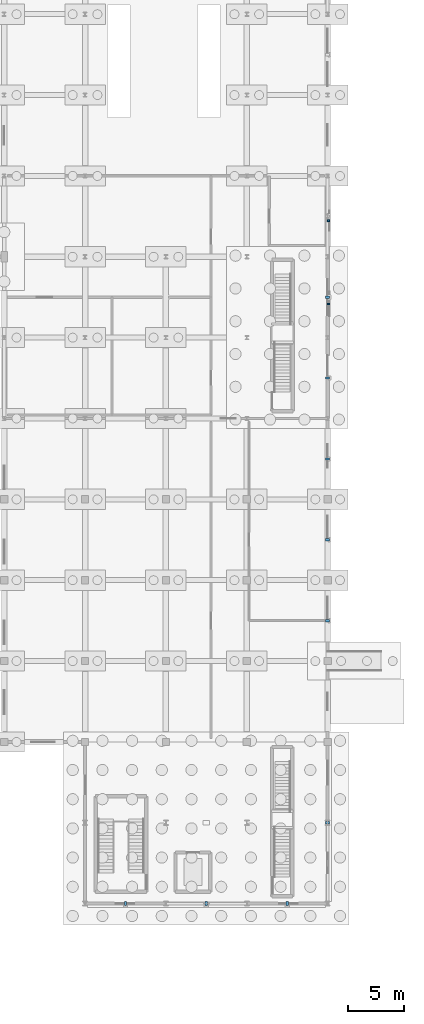
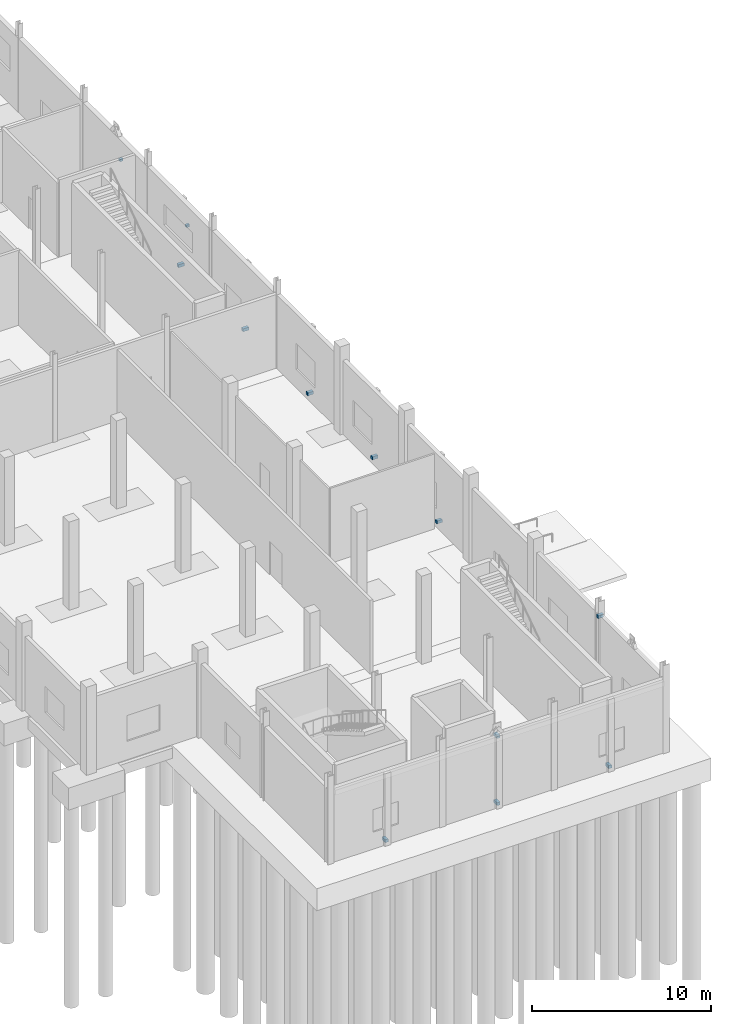
# One storey, part 39 of 45: 12 discrete accessories.
"""IFC4 building model written with IfcOpenShell, lengths in metres."""

from ifc_helpers import new_model, si_unit, direction, frame, origin, origin_2d, place, context, subcontext, project, spatial, rectangle, extrude, material, type_object, element, save


model = new_model("IFC4")

# Units and contexts
model_context = context("Model", 3, precision=1e-05, world=origin(), true_north=direction((0.0, 1.0)))
body_context = subcontext(model_context, "Body", "Model", "MODEL_VIEW")
ifc_project = project(units=[si_unit("LENGTHUNIT", "METRE"), si_unit("AREAUNIT", "SQUARE_METRE"), si_unit("VOLUMEUNIT", "CUBIC_METRE"), si_unit("PLANEANGLEUNIT", "RADIAN"), si_unit("MASSUNIT", "GRAM", prefix="KILO")], contexts=[model_context])

# Site, building, storey
site_placement = place(None, origin())
site = spatial("IfcSite", under=ifc_project, at=site_placement, CompositionType="ELEMENT")
building_placement = place(site_placement, origin())
building = spatial("IfcBuilding", under=site, at=building_placement, Name="Yarey Park Central Fire Station", CompositionType="ELEMENT")
storey_placement = place(building_placement, origin())
storey = spatial("IfcBuildingStorey", under=building, at=storey_placement, Name="L01", CompositionType="ELEMENT", Elevation=0.0)

# Discrete accessories
ifc_material = material(Name="Stainless Steel AISI 316L", Category="steel")
discrete_accessory_type = type_object("IfcDiscreteAccessoryType", Name="ENV_BRK_SS1", PredefinedType="BRACKET", material=ifc_material)
for number, where, z_axis, x_axis, name in (
    (1, (165.679931640625, 53.39990234375, 3.31982421875), (0.0, 0.0, 1.0), (1.0, 0.0, 0.0), "BRK_LVR_V5_E_1"),
    (2, (165.679931640625, 60.800048828125, 3.31982421875), (0.0, 0.0, 1.0), (1.0, 0.0, 0.0), "BRK_LVR_V5_E_2"),
):
    element("IfcDiscreteAccessory", number, at=place(storey_placement, frame(where, z_axis=z_axis, x_axis=x_axis)), inside=storey, type_object=discrete_accessory_type, Name=name, PredefinedType="BRACKET", context=body_context, shape_type="SweptSolid", body=[
        extrude(rectangle(XDim=0.199951171875, YDim=0.159912109375, at=origin_2d()), origin(), (0.0, 0.0, 1.0), 0.159912109375),
    ])
for number, where, z_axis, x_axis, name in (
    (3, (165.60009765625, 25.199951171875, 0.2998046875), (0.0, 0.0, 1.0), (1.0, 0.0, 0.0), "BRK_FIN_L01_EAST_PIL_01"),
    (4, (165.60009765625, 32.39990234375, 0.2998046875), (0.0, 0.0, 1.0), (1.0, 0.0, 0.0), "BRK_FIN_L01_EAST_PIL_02"),
    (5, (165.60009765625, 39.60009765625, 0.2998046875), (0.0, 0.0, 1.0), (1.0, 0.0, 0.0), "BRK_FIN_L01_EAST_PIL_03"),
    (6, (165.60009765625, 46.800048828125, 0.2998046875), (0.0, 0.0, 1.0), (1.0, 0.0, 0.0), "BRK_FIN_L01_EAST_PIL_04"),
    (7, (165.60009765625, 54.0, 0.2998046875), (0.0, 0.0, 1.0), (1.0, 0.0, 0.0), "BRK_FIN_L01_EAST_PIL_05"),
    (8, (165.60009765625, 7.199951171875, 4.77001953125), (0.0, 0.0, 1.0), (1.0, 0.0, 0.0), "BRK_FIN_L01_DTE_HOOD"),
):
    element("IfcDiscreteAccessory", number, at=place(storey_placement, frame(where, z_axis=z_axis, x_axis=x_axis)), inside=storey, type_object=discrete_accessory_type, Name=name, PredefinedType="BRACKET", context=body_context, shape_type="SweptSolid", body=[
        extrude(rectangle(XDim=0.360107421875, YDim=0.199951171875, at=origin_2d()), origin(), (0.0, 0.0, 1.0), 0.199951171875),
    ])
for number, where, z_axis, x_axis, name in (
    (9, (154.800048828125, 0.0, 4.77001953125), (0.0, 0.0, 1.0), (1.0, 0.0, 0.0), "BRK_FIN_L01_DTS_HOOD"),
    (10, (147.60009765625, 0.0, 0.2001953125), (0.0, 0.0, 1.0), (1.0, 0.0, 0.0), "BRK_FIN_L01_DTS_PIL_1"),
    (11, (154.800048828125, 0.0, 0.2001953125), (0.0, 0.0, 1.0), (1.0, 0.0, 0.0), "BRK_FIN_L01_DTS_PIL_2"),
    (12, (162.0, 0.0, 0.2001953125), (0.0, 0.0, 1.0), (1.0, 0.0, 0.0), "BRK_FIN_L01_DTS_PIL_3"),
):
    element("IfcDiscreteAccessory", number, at=place(storey_placement, frame(where, z_axis=z_axis, x_axis=x_axis)), inside=storey, type_object=discrete_accessory_type, Name=name, PredefinedType="BRACKET", context=body_context, shape_type="SweptSolid", body=[
        extrude(rectangle(XDim=0.199951171875, YDim=0.360107421875, at=origin_2d()), origin(), (0.0, 0.0, 1.0), 0.199951171875),
    ])

save(model, "model.ifc")
